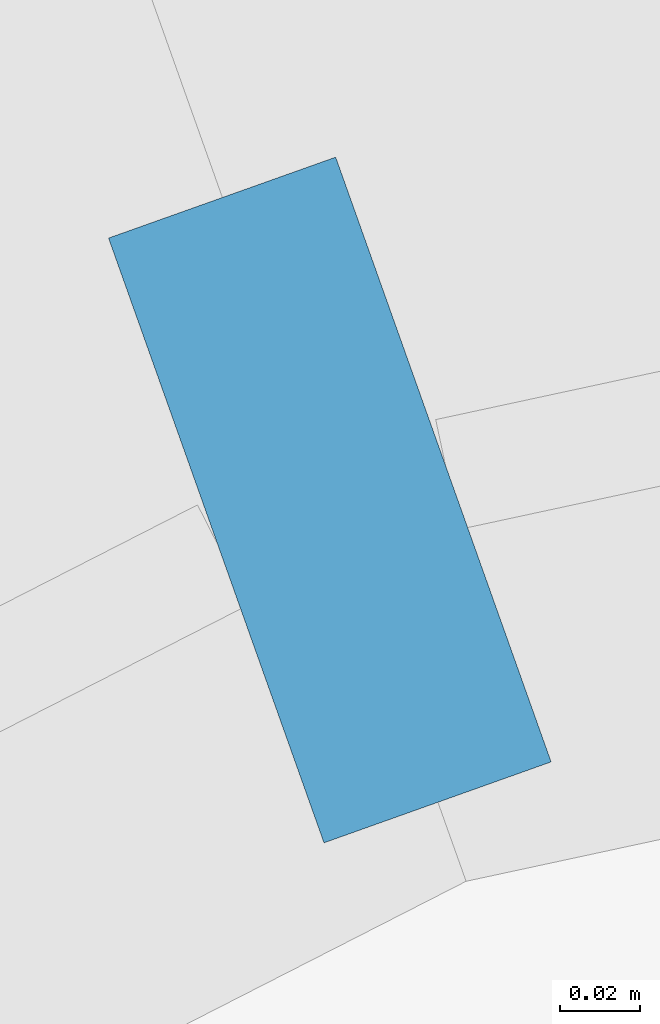
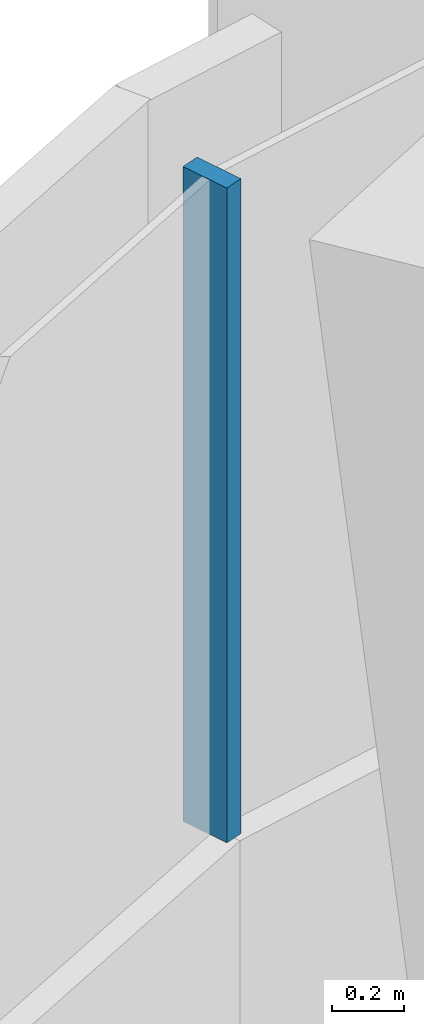
# One storey, part 19 of 37: 1 member, 1 element without a shape of its own.
"""IFC4 building model written with IfcOpenShell, lengths in metres."""

from ifc_helpers import new_model, si_unit, direction, frame, origin, origin_2d, place, context, subcontext, project, spatial, rectangle, extrude, material, layer, layer_set, material_profile, profile_set, type_object, element, aggregate, save


model = new_model("IFC4")

# Units and contexts
model_context = context("Model", 3, precision=1e-05, world=origin(), true_north=direction((0.0, 1.0)))
body_context = subcontext(model_context, "Body", "Model", "MODEL_VIEW")
ifc_project = project(units=[si_unit("LENGTHUNIT", "METRE"), si_unit("AREAUNIT", "SQUARE_METRE"), si_unit("VOLUMEUNIT", "CUBIC_METRE"), si_unit("PLANEANGLEUNIT", "RADIAN"), si_unit("MASSUNIT", "GRAM", prefix="KILO")], contexts=[model_context])

# Site, building, storey
site_placement = place(None, origin())
site = spatial("IfcSite", under=ifc_project, at=site_placement, CompositionType="ELEMENT")
building_placement = place(site_placement, origin())
building = spatial("IfcBuilding", under=site, at=building_placement, Name="Tamarind Cross Interchange Tower", CompositionType="ELEMENT")
storey_placement = place(building_placement, frame((0.0, 0.0, 133.0)))
storey = spatial("IfcBuildingStorey", under=building, at=storey_placement, Name="L32", CompositionType="ELEMENT", Elevation=133.0)

# Curtain wall, member
ifc_material = material(Name="Aluminium 6063-T6", Category="aluminium")
ifc_layer = layer(ifc_material, 0.159912109375)
ifc_layer_set = layer_set([ifc_layer], Name="Aluminium 6063-T6")
curtain_wall_type = type_object("IfcCurtainWallType", Name="Office curtain wall, 9.0 m bays", PredefinedType="NOTDEFINED", material=ifc_layer_set)
curtain_wall_placement = place(storey_placement, origin())
curtain_wall = element("IfcCurtainWall", 1, at=curtain_wall_placement, inside=storey, type_object=curtain_wall_type, Name="CWS-L32-09", PredefinedType="NOTDEFINED")
ifc_material_profile = material_profile(ifc_material, rectangle(XDim=0.06005859375, YDim=0.159912109375, at=origin_2d()), Name="Mullion CW1")
ifc_profile_set = profile_set([ifc_material_profile], Name="Aluminium 6063-T6")
member_type = type_object("IfcMemberType", Name="Mullion CW1", PredefinedType="MULLION", material=ifc_profile_set)
member_placement = place(storey_placement, frame((41.49853515625, 17.64892578125, 1.39990234375), z_axis=(0.0, 0.0, 1.0), x_axis=(-0.94199930398, -0.335614825807, 0.0)))
member = element("IfcMember", 2, at=member_placement, type_object=member_type, Name="CWM-L32-09-00", PredefinedType="MULLION", context=body_context, shape_type="SweptSolid", body=[
    extrude(rectangle(XDim=0.06005859375, YDim=0.159912109375, at=origin_2d()), origin(), (0.0, 0.0, 1.0), 2.210205078125),
])
aggregate(curtain_wall, [member])

save(model, "model.ifc")
